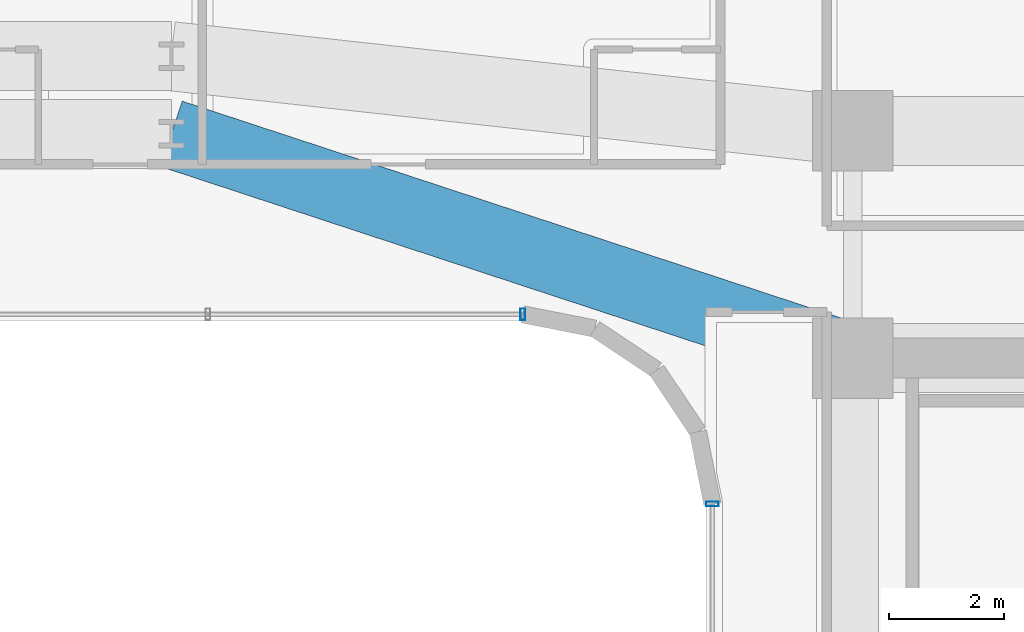
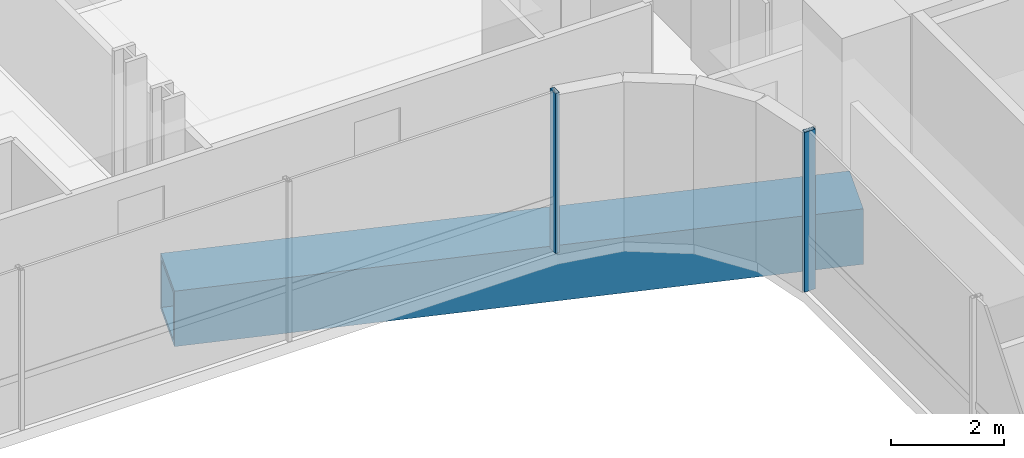
# One storey, part 19 of 50: 2 members, 1 beam, 2 elements without a shape of their own.
"""IFC4 building model written with IfcOpenShell, lengths in metres."""

from ifc_helpers import new_model, si_unit, direction, frame, origin, origin_2d, place, context, subcontext, project, spatial, hollow_rectangle, extrude, source, transform, mapped, material, material_profile, profile_set, type_object, element, aggregate, save


model = new_model("IFC4")

# Units and contexts
model_context = context("Model", 3, precision=1e-05, world=origin(), true_north=direction((0.0, 1.0)))
body_context = subcontext(model_context, "Body", "Model", "MODEL_VIEW")
ifc_project = project(units=[si_unit("LENGTHUNIT", "METRE"), si_unit("AREAUNIT", "SQUARE_METRE"), si_unit("VOLUMEUNIT", "CUBIC_METRE"), si_unit("PLANEANGLEUNIT", "RADIAN"), si_unit("MASSUNIT", "GRAM", prefix="KILO")], contexts=[model_context])

# Site, building, storey
site_placement = place(None, origin())
site = spatial("IfcSite", under=ifc_project, at=site_placement, CompositionType="ELEMENT")
building_placement = place(site_placement, origin())
building = spatial("IfcBuilding", under=site, at=building_placement, Name="Valdorenza Pilgrim Sanctuary Tower", CompositionType="ELEMENT")
storey_placement = place(building_placement, frame((0.0, 0.0, 26.0)))
storey = spatial("IfcBuildingStorey", under=building, at=storey_placement, Name="L05", CompositionType="ELEMENT", Elevation=26.0)

# Beam
ifc_material_1 = material(Name="Steel ASTM A572 Grade 42", Category="steel")
ifc_material_profile_1 = material_profile(ifc_material_1, hollow_rectangle(XDim=1.199951171875, YDim=1.199951171875, WallThickness=0.090087890625, at=origin_2d()), Name="BOX 1200x1200x90")
ifc_profile_set_1 = profile_set([ifc_material_profile_1], Name="Steel ASTM A572 Grade 42")
beam_type = type_object("IfcBeamType", Name="STR-BM-TRF-1200", PredefinedType="BEAM", material=ifc_profile_set_1)
shared_shape_1 = source(origin(), body_context, "Body", "SweptSolid", [
    extrude(hollow_rectangle(XDim=1.199951171875, YDim=1.199951171875, WallThickness=0.090087890625, at=origin_2d()), origin(), (0.0, 0.0, 1.0), 12.475341796875),
])
beam_placement = place(storey_placement, frame((4.0, 13.449951171875, -0.840087890625), z_axis=(0.949881908141, -0.312608957943, 0.0), x_axis=(0.312608957943, 0.949881908141, 0.0)))
element("IfcBeam", 1, at=beam_placement, inside=storey, type_object=beam_type, Name="L05 Podium Arch Transfer Girder TRF-L05-3", PredefinedType="BEAM", context=body_context, shape_type="MappedRepresentation", body=[
    mapped(shared_shape_1, transform((0.0, 0.0, 0.0), x_axis=(1.0, 0.0, 0.0), y_axis=(0.0, 1.0, 0.0), z_axis=(0.0, 0.0, 1.0), scale=1.0)),
])

# Curtain wall, member
ifc_material_2 = material(Name="Curtain-wall IGU glazing", Category="glass")
curtain_wall_type_1 = type_object("IfcCurtainWallType", Name="CW-SYS-02", PredefinedType="NOTDEFINED", material=ifc_material_2)
curtain_wall_1_placement = place(storey_placement, origin())
curtain_wall_1 = element("IfcCurtainWall", 2, at=curtain_wall_1_placement, inside=storey, type_object=curtain_wall_type_1, Name="L05 Curtain Wall CW-L05-1-36", PredefinedType="NOTDEFINED")
ifc_material_3 = material(Name="Anodised aluminium AW-6060", Category="aluminium")
ifc_material_profile_2 = material_profile(ifc_material_3, hollow_rectangle(XDim=0.0849609375, YDim=0.199951171875, WallThickness=0.0048828125, at=origin_2d()), Name="ALU-M 200x85x5")
ifc_profile_set_2 = profile_set([ifc_material_profile_2], Name="Anodised aluminium AW-6060")
member_type_1 = type_object("IfcMemberType", Name="CW-MUL-02", PredefinedType="MULLION", material=ifc_profile_set_2)
shared_shape_2 = source(origin(), body_context, "Body", "SweptSolid", [
    extrude(hollow_rectangle(XDim=0.0849609375, YDim=0.199951171875, WallThickness=0.0048828125, at=origin_2d()), origin(), (0.0, 0.0, 1.0), 3.4599609375),
])
member_1_placement = place(storey_placement, frame((10.11083984375, 10.31005859375, 0.0), z_axis=(0.0, 0.0, 1.0), x_axis=(-1.0, 0.0, 0.0)))
member_1 = element("IfcMember", 3, at=member_1_placement, type_object=member_type_1, Name="CW-L05-1-36 Mullion 1", PredefinedType="MULLION", context=body_context, shape_type="MappedRepresentation", body=[
    mapped(shared_shape_2, transform((0.0, 0.0, 0.0), x_axis=(1.0, 0.0, 0.0), y_axis=(0.0, 1.0, 0.0), z_axis=(0.0, 0.0, 1.0), scale=1.0)),
])
aggregate(curtain_wall_1, [member_1])

curtain_wall_type_2 = type_object("IfcCurtainWallType", Name="CW-SYS-03", PredefinedType="NOTDEFINED", material=ifc_material_2)
curtain_wall_2_placement = place(storey_placement, origin())
curtain_wall_2 = element("IfcCurtainWall", 4, at=curtain_wall_2_placement, inside=storey, type_object=curtain_wall_type_2, Name="L05 Curtain Wall CW-L05-1-31", PredefinedType="NOTDEFINED")
ifc_material_profile_3 = material_profile(ifc_material_3, hollow_rectangle(XDim=0.0849609375, YDim=0.219970703125, WallThickness=0.0048828125, at=origin_2d()), Name="ALU-M 220x85x5")
ifc_profile_set_3 = profile_set([ifc_material_profile_3], Name="Anodised aluminium AW-6060")
member_type_2 = type_object("IfcMemberType", Name="CW-MUL-03", PredefinedType="MULLION", material=ifc_profile_set_3)
shared_shape_3 = source(origin(), body_context, "Body", "SweptSolid", [
    extrude(hollow_rectangle(XDim=0.0849609375, YDim=0.219970703125, WallThickness=0.0048828125, at=origin_2d()), origin(), (0.0, 0.0, 1.0), 3.4599609375),
])
member_2_placement = place(storey_placement, frame((13.409912109375, 7.0107421875, 0.0), z_axis=(0.0, 0.0, 1.0), x_axis=(0.0, 1.0, 0.0)))
member_2 = element("IfcMember", 5, at=member_2_placement, type_object=member_type_2, Name="CW-L05-1-31 Mullion 4", PredefinedType="MULLION", context=body_context, shape_type="MappedRepresentation", body=[
    mapped(shared_shape_3, transform((0.0, 0.0, 0.0), x_axis=(1.0, 0.0, 0.0), y_axis=(0.0, 1.0, 0.0), z_axis=(0.0, 0.0, 1.0), scale=1.0)),
])
aggregate(curtain_wall_2, [member_2])

save(model, "model.ifc")
